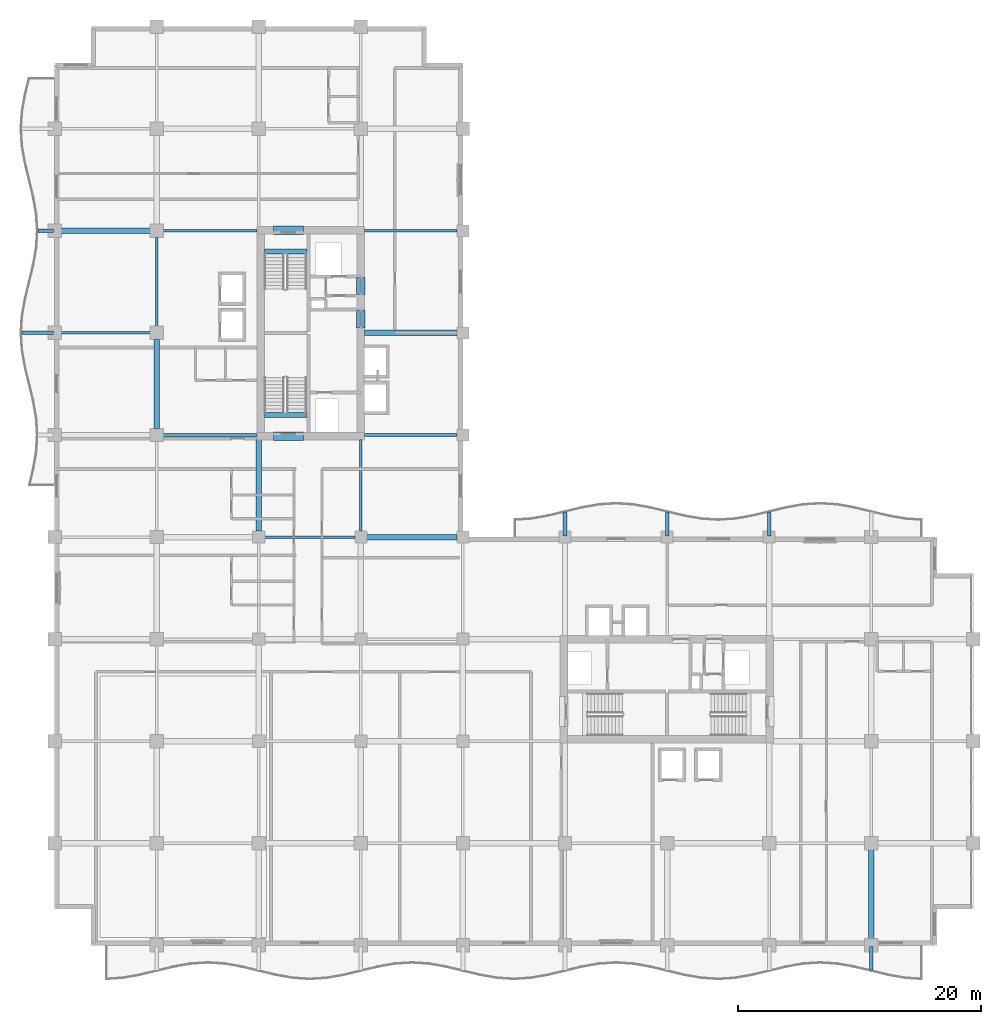
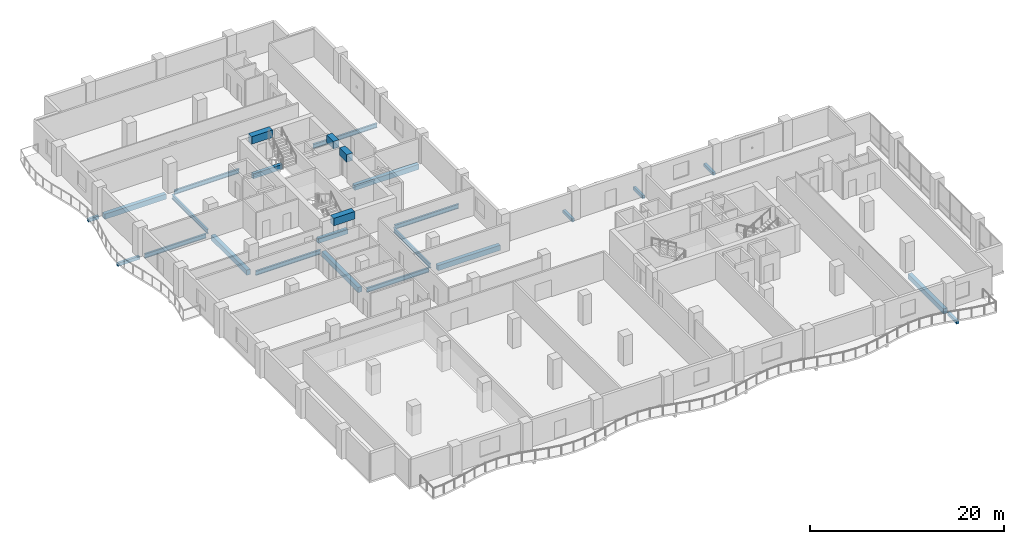
# One storey, part 2 of 20: 26 beams.
"""IFC4 building model written with IfcOpenShell, lengths in metres."""

import ifcopenshell
import ifcopenshell.guid

model = None  # the IFC model being written
_history = None  # IfcOwnerHistory: only IFC2X3 demands one
_inside = {}  # id of a spatial element -> (the spatial element, [elements in it])
_under = {}  # id of a project, library or spatial element -> (it, [spatial elements below it])
_declared = {}  # id of a project -> (the project, [libraries it declares])
_typed = {}  # id of a type object -> (the type object, [elements of that type])
_made_of = {}  # id of a material, layer set ... -> (it, [elements and type objects made of it])


def new_model(schema):
    """Start an empty IFC model of exactly this schema.

    Asked for "IFC4X3", IfcOpenShell would pick the latest addendum, in which some entities
    have other attributes; the version numbers below select the first issue.
    IFC2X3 requires an IfcOwnerHistory on every rooted entity: one is made here for all.
    """
    global model, _history
    if schema == "IFC4X3":
        model = ifcopenshell.file(schema_version=(4, 3, 0, 0))
    else:
        model = ifcopenshell.file(schema=schema)
    _inside.clear()
    _under.clear()
    _declared.clear()
    _typed.clear()
    _made_of.clear()
    _history = None
    if model.schema == "IFC2X3":
        org = make("IfcOrganization", Name="unknown")
        user = make(
            "IfcPersonAndOrganization",
            ThePerson=make("IfcPerson", FamilyName="unknown"),
            TheOrganization=org,
        )
        app = make(
            "IfcApplication",
            ApplicationDeveloper=org,
            Version="unknown",
            ApplicationFullName="unknown",
            ApplicationIdentifier="unknown",
        )
        _history = make(
            "IfcOwnerHistory",
            OwningUser=user,
            OwningApplication=app,
            ChangeAction="ADDED",
            CreationDate=0,
        )
    return model


def make(cls, **values):
    """One entity of the class cls with the attributes given. An attribute that is None is left unset."""
    return model.create_entity(
        cls, **{name: value for name, value in values.items() if value is not None}
    )


def rooted(cls, **values):
    """An entity with a GlobalId (a new one), such as an element, a storey or a relation."""
    return make(cls, GlobalId=ifcopenshell.guid.new(), OwnerHistory=_history, **values)


def si_unit(unit_type, name, prefix=None):
    """IfcSIUnit, for example si_unit("LENGTHUNIT", "METRE", prefix="MILLI")."""
    return make("IfcSIUnit", UnitType=unit_type, Prefix=prefix, Name=name)


def assignment(units):
    """IfcUnitAssignment: the units of a project."""
    return None if units is None else make("IfcUnitAssignment", Units=units)


def point(xyz):
    """IfcCartesianPoint."""
    return None if xyz is None else make("IfcCartesianPoint", Coordinates=xyz)


def direction(xyz):
    """IfcDirection."""
    return None if xyz is None else make("IfcDirection", DirectionRatios=xyz)


def frame(location, z_axis=None, x_axis=None):
    """IfcAxis2Placement3D, a coordinate frame: its origin and axes. An axis left out is left unset."""
    return make(
        "IfcAxis2Placement3D",
        Location=point(location),
        Axis=direction(z_axis),
        RefDirection=direction(x_axis),
    )


def frame_2d(location, x_axis=None):
    """IfcAxis2Placement2D, a coordinate frame in the plane: its origin and x axis."""
    return make(
        "IfcAxis2Placement2D", Location=point(location), RefDirection=direction(x_axis)
    )


def origin():
    """The frame at (0, 0, 0) with its axes left unset."""
    return frame((0.0, 0.0, 0.0))


def origin_2d():
    """The frame at (0, 0) in the plane with its x axis left unset."""
    return frame_2d((0.0, 0.0))


def place(relative_to, where):
    """IfcLocalPlacement: puts the frame where relative to a parent placement (None: the world)."""
    return make(
        "IfcLocalPlacement", PlacementRelTo=relative_to, RelativePlacement=where
    )


def context(
    kind, dimensions, precision=None, world=None, true_north=None, identifier=None
):
    """IfcGeometricRepresentationContext, for example the 3D "Model" context."""
    return make(
        "IfcGeometricRepresentationContext",
        ContextIdentifier=identifier,
        ContextType=kind,
        CoordinateSpaceDimension=dimensions,
        Precision=precision,
        WorldCoordinateSystem=world,
        TrueNorth=true_north,
    )


def subcontext(parent, identifier, kind, view, scale=None):
    """IfcGeometricRepresentationSubContext, for example "Body" below "Model"."""
    return make(
        "IfcGeometricRepresentationSubContext",
        ContextIdentifier=identifier,
        ContextType=kind,
        ParentContext=parent,
        TargetScale=scale,
        TargetView=view,
    )


def project(units=None, contexts=None):
    """IfcProject with its units and contexts."""
    return rooted(
        "IfcProject",
        Name="project",
        RepresentationContexts=contexts,
        UnitsInContext=assignment(units),
    )


def spatial(cls, under=None, at=None, **own):
    """A site, building, storey or space (cls), placed at a placement, below another one or the project."""
    s = rooted(cls, ObjectPlacement=at, **own)
    if under is not None:
        _under.setdefault(under.id(), (under, []))[1].append(s)
    return s


def profile(cls, at=None, kind="AREA", **sizes):
    """A parametric profile (cls). Its sizes go by their IFC names, for example OverallWidth=200.0."""
    return make(cls, ProfileType=kind, Position=at, **sizes)


def rectangle(**sizes):
    """IfcRectangleProfileDef."""
    return profile("IfcRectangleProfileDef", **sizes)


def i_section(**sizes):
    """IfcIShapeProfileDef."""
    return profile("IfcIShapeProfileDef", **sizes)


def extrude(swept, where, along, depth):
    """IfcExtrudedAreaSolid: the profile swept, set in the frame where, extruded along a direction by depth."""
    return make(
        "IfcExtrudedAreaSolid",
        SweptArea=swept,
        Position=where,
        ExtrudedDirection=direction(along),
        Depth=depth,
    )


def shape(context_of_items, identifier, shape_type, items):
    """IfcShapeRepresentation: the items that make up one representation, for example the "Body"."""
    return make(
        "IfcShapeRepresentation",
        ContextOfItems=context_of_items,
        RepresentationIdentifier=identifier,
        RepresentationType=shape_type,
        Items=items,
    )


def material(Name=None, Category=None):
    """IfcMaterial."""
    return make("IfcMaterial", Name=Name, Category=Category)


def material_profile(
    of_material, cross_section, Name=None, Category=None, Priority=None
):
    """IfcMaterialProfile: a cross section and its material."""
    return make(
        "IfcMaterialProfile",
        Name=Name,
        Material=of_material,
        Profile=cross_section,
        Priority=Priority,
        Category=Category,
    )


def profile_set(profiles, Name=None, composite=None):
    """IfcMaterialProfileSet."""
    return make(
        "IfcMaterialProfileSet",
        Name=Name,
        MaterialProfiles=profiles,
        CompositeProfile=composite,
    )


def made_of(thing, what):
    """Note that an element or type object is made of a material, layer set ...; save() writes the relation."""
    if what is not None:
        _made_of.setdefault(what.id(), (what, []))[1].append(thing)
    return thing


def type_object(cls, material=None, **own):
    """A type object (cls), such as IfcWallType, which elements share."""
    return made_of(rooted(cls, **own), material)


def element(
    cls,
    number,
    at=None,
    inside=None,
    cuts=None,
    type_object=None,
    material=None,
    context=None,
    identifier="Body",
    shape_type=None,
    held_by="IfcProductDefinitionShape",
    body=None,
    shapes=None,
    **own,
):
    """One element of the class cls, such as IfcWall. Its Tag is "e" and its number.

    at: its placement. inside: the storey or other place that contains it. cuts: it is an
    opening in that element (IfcRelVoidsElement). A single representation is given by context,
    identifier, shape_type and body (its items); several are given by shapes. held_by: the class
    of the entity that holds the representations. save() writes the other relations.
    """
    e = rooted(cls, Tag="e%d" % number, ObjectPlacement=at, **own)
    if body is not None:
        shapes = [shape(context, identifier, shape_type, body)]
    if shapes is not None:
        e.Representation = make(held_by, Representations=shapes)
    if inside is not None:
        _inside.setdefault(inside.id(), (inside, []))[1].append(e)
    if cuts is not None:
        rooted(
            "IfcRelVoidsElement", RelatingBuildingElement=cuts, RelatedOpeningElement=e
        )
    if type_object is not None:
        _typed.setdefault(type_object.id(), (type_object, []))[1].append(e)
    return made_of(e, material)


def aggregate(whole, parts):
    """IfcRelAggregates: a whole, such as a stair, and the parts it consists of."""
    return rooted("IfcRelAggregates", RelatingObject=whole, RelatedObjects=parts)


def save(model, path):
    """Write the relations noted so far, then the file.

    IfcRelAggregates (storeys below a building ...), IfcRelContainedInSpatialStructure (elements
    in a storey), IfcRelDefinesByType, IfcRelAssociatesMaterial and IfcRelDeclares: one each for
    every whole, place, type object, material and project.
    """
    for whole, parts in _under.values():
        aggregate(whole, parts)
    for where, things in _inside.values():
        rooted(
            "IfcRelContainedInSpatialStructure",
            RelatedElements=things,
            RelatingStructure=where,
        )
    for kind, things in _typed.values():
        rooted("IfcRelDefinesByType", RelatedObjects=things, RelatingType=kind)
    for what, things in _made_of.values():
        rooted("IfcRelAssociatesMaterial", RelatedObjects=things, RelatingMaterial=what)
    for by, libraries in _declared.values():
        rooted("IfcRelDeclares", RelatingContext=by, RelatedDefinitions=libraries)
    model.write(path)


model = new_model("IFC4")

# Units and contexts
model_context = context("Model", 3, precision=1e-05, world=origin(), true_north=direction((0.0, 1.0)))
body_context = subcontext(model_context, "Body", "Model", "MODEL_VIEW")
ifc_project = project(units=[si_unit("LENGTHUNIT", "METRE"), si_unit("AREAUNIT", "SQUARE_METRE"), si_unit("VOLUMEUNIT", "CUBIC_METRE"), si_unit("PLANEANGLEUNIT", "RADIAN"), si_unit("MASSUNIT", "GRAM", prefix="KILO")], contexts=[model_context])

# Site, building, storey
site_placement = place(None, origin())
site = spatial("IfcSite", under=ifc_project, at=site_placement, CompositionType="ELEMENT")
building_placement = place(site_placement, origin())
building = spatial("IfcBuilding", under=site, at=building_placement, Name="Koriwani Terraces Tower", CompositionType="ELEMENT")
storey_placement = place(building_placement, frame((0.0, 0.0, 212.39990234375)))
storey = spatial("IfcBuildingStorey", under=building, at=storey_placement, Name="L52", CompositionType="ELEMENT", Elevation=212.39990234375)

# Beams
ifc_material_1 = material(Name="Concrete C40/50", Category="concrete")
ifc_material_profile_1 = material_profile(ifc_material_1, rectangle(XDim=0.300048828125, YDim=0.39990234375, at=origin_2d()), Name="Concrete C40/50", Category="LoadBearing")
ifc_profile_set_1 = profile_set([ifc_material_profile_1], Name="Concrete C40/50")
beam_type_1 = type_object("IfcBeamType", Name="BEAM_RC_BALCONY_RIB_300X400", PredefinedType="JOIST", material=ifc_profile_set_1)
beam_1_placement = place(storey_placement, frame((67.199951171875, -2.02490234375, -0.429931640625), z_axis=(0.0, 1.0, 0.0), x_axis=(-1.0, 0.0, 0.0)))
element("IfcBeam", 1, at=beam_1_placement, inside=storey, type_object=beam_type_1, Name="L52 Balcony Bracket Rib S-8", PredefinedType="JOIST", context=body_context, shape_type="SweptSolid", body=[
    extrude(rectangle(XDim=0.300048828125, YDim=0.39990234375, at=origin_2d()), origin(), (0.0, 0.0, 1.0), 1.9248046875),
])
beam_2_placement = place(storey_placement, frame((-2.699951171875, 50.39990234375, -0.429931640625), z_axis=(1.0, 0.0, 0.0), x_axis=(0.0, 1.0, 0.0)))
element("IfcBeam", 2, at=beam_2_placement, inside=storey, type_object=beam_type_1, Name="L52 Balcony Bracket Rib W-2", PredefinedType="JOIST", context=body_context, shape_type="SweptSolid", body=[
    extrude(rectangle(XDim=0.300048828125, YDim=0.39990234375, at=origin_2d()), origin(), (0.0, 0.0, 1.0), 2.599853515625),
])
beam_3_placement = place(storey_placement, frame((-1.35009765625, 58.800048828125, -0.429931640625), z_axis=(1.0, 0.0, 0.0), x_axis=(0.0, 1.0, 0.0)))
element("IfcBeam", 3, at=beam_3_placement, inside=storey, type_object=beam_type_1, Name="L52 Balcony Bracket Rib W-3", PredefinedType="JOIST", context=body_context, shape_type="SweptSolid", body=[
    extrude(rectangle(XDim=0.300048828125, YDim=0.39990234375, at=origin_2d()), origin(), (0.0, 0.0, 1.0), 1.25),
])
for number, where, z_axis, x_axis, name in (
    (4, (42.0, 33.699951171875, -0.429931640625), (0.0, 1.0, 0.0), (-1.0, 0.0, 0.0), "L52 Balcony Bracket Rib NE-1"),
    (5, (50.39990234375, 33.699951171875, -0.429931640625), (0.0, 1.0, 0.0), (-1.0, 0.0, 0.0), "L52 Balcony Bracket Rib NE-2"),
    (6, (58.800048828125, 33.699951171875, -0.429931640625), (0.0, 1.0, 0.0), (-1.0, 0.0, 0.0), "L52 Balcony Bracket Rib NE-3"),
):
    element("IfcBeam", number, at=place(storey_placement, frame(where, z_axis=z_axis, x_axis=x_axis)), inside=storey, type_object=beam_type_1, Name=name, PredefinedType="JOIST", context=body_context, shape_type="SweptSolid", body=[
        extrude(rectangle(XDim=0.300048828125, YDim=0.39990234375, at=origin_2d()), origin(), (0.0, 0.0, 1.0), 1.925048828125),
    ])
ifc_material_2 = material(Name="Concrete C60/75", Category="concrete")
ifc_material_profile_2 = material_profile(ifc_material_2, rectangle(XDim=0.699951171875, YDim=0.949951171875, at=origin_2d()), Name="Concrete C60/75", Category="LoadBearing")
ifc_profile_set_2 = profile_set([ifc_material_profile_2], Name="Concrete C60/75")
beam_type_2 = type_object("IfcBeamType", Name="BEAM_RC_COUPLING_700X950", PredefinedType="LINTEL", material=ifc_profile_set_2)
beam_4_placement = place(storey_placement, frame((25.199951171875, 50.800048828125, 2.9951171875), z_axis=(0.0, 1.0, 0.0), x_axis=(-1.0, 0.0, 0.0)))
element("IfcBeam", 7, at=beam_4_placement, inside=storey, type_object=beam_type_2, Name="L52 Core Coupling Lintel Beam WE1", PredefinedType="LINTEL", context=body_context, shape_type="SweptSolid", body=[
    extrude(rectangle(XDim=0.699951171875, YDim=0.949951171875, at=origin_2d()), origin(), (0.0, 0.0, 1.0), 1.47998046875),
])
beam_5_placement = place(storey_placement, frame((25.199951171875, 53.550048828125, 2.9951171875), z_axis=(0.0, 1.0, 0.0), x_axis=(-1.0, 0.0, 0.0)))
element("IfcBeam", 8, at=beam_5_placement, inside=storey, type_object=beam_type_2, Name="L52 Core Coupling Lintel Beam WE2", PredefinedType="LINTEL", context=body_context, shape_type="SweptSolid", body=[
    extrude(rectangle(XDim=0.699951171875, YDim=0.949951171875, at=origin_2d()), origin(), (0.0, 0.0, 1.0), 1.39990234375),
])
for number, where, z_axis, x_axis, name in (
    (9, (18.0, 41.89990234375, 2.9951171875), (1.0, 0.0, 0.0), (0.0, 1.0, 0.0), "L52 Core Coupling Lintel Beam WS"),
    (10, (18.0, 58.85009765625, 2.9951171875), (1.0, 0.0, 0.0), (0.0, 1.0, 0.0), "L52 Core Coupling Lintel Beam WN"),
):
    element("IfcBeam", number, at=place(storey_placement, frame(where, z_axis=z_axis, x_axis=x_axis)), inside=storey, type_object=beam_type_2, Name=name, PredefinedType="LINTEL", context=body_context, shape_type="SweptSolid", body=[
        extrude(rectangle(XDim=0.699951171875, YDim=0.949951171875, at=origin_2d()), origin(), (0.0, 0.0, 1.0), 2.5),
    ])
ifc_material_profile_3 = material_profile(ifc_material_1, rectangle(XDim=0.39990234375, YDim=0.60009765625, at=origin_2d()), Name="Concrete C40/50", Category="LoadBearing")
ifc_profile_set_3 = profile_set([ifc_material_profile_3], Name="Concrete C40/50")
beam_type_3 = type_object("IfcBeamType", Name="BEAM_RC_GRID_400X600", PredefinedType="BEAM", material=ifc_profile_set_3)
for number, where, z_axis, x_axis, name in (
    (11, (17.25, 43.655029296875, -0.2998046875), (1.0, 0.0, 0.0), (0.0, 1.0, 0.0), "L52 Stairwell Header Trimmer Beam ST-W1"),
    (12, (17.25, 57.094970703125, -0.2998046875), (1.0, 0.0, 0.0), (0.0, 1.0, 0.0), "L52 Stairwell Header Trimmer Beam ST-W2"),
):
    element("IfcBeam", number, at=place(storey_placement, frame(where, z_axis=z_axis, x_axis=x_axis)), inside=storey, type_object=beam_type_3, Name=name, PredefinedType="BEAM", context=body_context, shape_type="SweptSolid", body=[
        extrude(rectangle(XDim=0.39990234375, YDim=0.60009765625, at=origin_2d()), origin(), (0.0, 0.0, 1.0), 3.5),
    ])
ifc_material_3 = material(Name="Concrete C50/60", Category="concrete")
ifc_material_profile_4 = material_profile(ifc_material_3, rectangle(XDim=0.449951171875, YDim=0.64990234375, at=origin_2d()), Name="Concrete C50/60", Category="LoadBearing")
ifc_profile_set_4 = profile_set([ifc_material_profile_4], Name="Concrete C50/60")
beam_type_4 = type_object("IfcBeamType", Name="BEAM_RC_GRID_450X650", PredefinedType="BEAM", material=ifc_profile_set_4)
beam_6_placement = place(storey_placement, frame((25.679931640625, 33.60009765625, -0.554931640625), z_axis=(1.0, 0.0, 0.0), x_axis=(0.0, 1.0, 0.0)))
element("IfcBeam", 13, at=beam_6_placement, inside=storey, type_object=beam_type_4, Name="L52 Grid Beam E (25.2-33.6m)", PredefinedType="BEAM", context=body_context, shape_type="SweptSolid", body=[
    extrude(rectangle(XDim=0.449951171875, YDim=0.64990234375, at=origin_2d()), origin(), (0.0, 0.0, 1.0), 7.440185546875),
])
beam_7_placement = place(storey_placement, frame((25.47998046875, 50.39990234375, -0.554931640625), z_axis=(1.0, 0.0, 0.0), x_axis=(0.0, 1.0, 0.0)))
element("IfcBeam", 14, at=beam_7_placement, inside=storey, type_object=beam_type_4, Name="L52 Grid Beam G (25.2-33.6m)", PredefinedType="BEAM", context=body_context, shape_type="SweptSolid", body=[
    extrude(rectangle(XDim=0.449951171875, YDim=0.64990234375, at=origin_2d()), origin(), (0.0, 0.0, 1.0), 7.64013671875),
])
for number, where, z_axis, x_axis, name in (
    (15, (0.530029296875, 58.800048828125, -0.554931640625), (1.0, 0.0, 0.0), (0.0, 1.0, 0.0), "L52 Grid Beam H (0.0-8.4m)"),
    (16, (8.39990234375, 42.530029296875, -0.554931640625), (0.0, 1.0, 0.0), (-1.0, 0.0, 0.0), "L52 Grid Beam 2 (42.0-50.4m)"),
):
    element("IfcBeam", number, at=place(storey_placement, frame(where, z_axis=z_axis, x_axis=x_axis)), inside=storey, type_object=beam_type_4, Name=name, PredefinedType="BEAM", context=body_context, shape_type="SweptSolid", body=[
        extrude(rectangle(XDim=0.449951171875, YDim=0.64990234375, at=origin_2d()), origin(), (0.0, 0.0, 1.0), 7.340087890625),
    ])
beam_8_placement = place(storey_placement, frame((16.800048828125, 34.080078125, -0.554931640625), z_axis=(0.0, 1.0, 0.0), x_axis=(-1.0, 0.0, 0.0)))
element("IfcBeam", 17, at=beam_8_placement, inside=storey, type_object=beam_type_4, Name="L52 Grid Beam 3 (33.6-42.0m)", PredefinedType="BEAM", context=body_context, shape_type="SweptSolid", body=[
    extrude(rectangle(XDim=0.449951171875, YDim=0.64990234375, at=origin_2d()), origin(), (0.0, 0.0, 1.0), 7.5400390625),
])
beam_9_placement = place(storey_placement, frame((67.199951171875, 0.530029296875, -0.554931640625), z_axis=(0.0, 1.0, 0.0), x_axis=(-1.0, 0.0, 0.0)))
element("IfcBeam", 18, at=beam_9_placement, inside=storey, type_object=beam_type_4, Name="L52 Grid Beam 9 (0.0-8.4m)", PredefinedType="BEAM", context=body_context, shape_type="SweptSolid", body=[
    extrude(rectangle(XDim=0.449951171875, YDim=0.64990234375, at=origin_2d()), origin(), (0.0, 0.0, 1.0), 7.340087890625),
])
ifc_material_4 = material(Name="Steel ASTM A572 Grade 50", Category="steel")
ifc_material_profile_5 = material_profile(ifc_material_4, i_section(OverallWidth=0.2119140625, OverallDepth=0.54296875, WebThickness=0.0126953125, FlangeThickness=0.021240234375, at=origin_2d()), Name="Steel ASTM A572 Grade 50", Category="LoadBearing")
ifc_profile_set_5 = profile_set([ifc_material_profile_5], Name="Steel ASTM A572 Grade 50")
beam_type_5 = type_object("IfcBeamType", Name="STEEL_BEAM_W530X150", PredefinedType="BEAM", material=ifc_profile_set_5)
beam_10_placement = place(storey_placement, frame((17.280029296875, 33.60009765625, -0.50146484375), z_axis=(1.0, 0.0, 0.0), x_axis=(0.0, 1.0, 0.0)))
element("IfcBeam", 19, at=beam_10_placement, inside=storey, type_object=beam_type_5, Name="L52 Grid Beam E (16.8-25.2m)", PredefinedType="BEAM", context=body_context, shape_type="SweptSolid", body=[
    extrude(i_section(OverallWidth=0.2119140625, OverallDepth=0.54296875, WebThickness=0.0126953125, FlangeThickness=0.021240234375, at=origin_2d()), origin(), (0.0, 0.0, 1.0), 7.43994140625),
])
beam_11_placement = place(storey_placement, frame((8.929931640625, 42.0, -0.50146484375), z_axis=(1.0, 0.0, 0.0), x_axis=(0.0, 1.0, 0.0)))
element("IfcBeam", 20, at=beam_11_placement, inside=storey, type_object=beam_type_5, Name="L52 Grid Beam F (8.4-16.8m)", PredefinedType="BEAM", context=body_context, shape_type="SweptSolid", body=[
    extrude(i_section(OverallWidth=0.2119140625, OverallDepth=0.54296875, WebThickness=0.0126953125, FlangeThickness=0.021240234375, at=origin_2d()), origin(), (0.0, 0.0, 1.0), 7.739990234375),
])
beam_12_placement = place(storey_placement, frame((25.47998046875, 42.0, -0.50146484375), z_axis=(1.0, 0.0, 0.0), x_axis=(0.0, 1.0, 0.0)))
element("IfcBeam", 21, at=beam_12_placement, inside=storey, type_object=beam_type_5, Name="L52 Grid Beam F (25.2-33.6m)", PredefinedType="BEAM", context=body_context, shape_type="SweptSolid", body=[
    extrude(i_section(OverallWidth=0.2119140625, OverallDepth=0.54296875, WebThickness=0.0126953125, FlangeThickness=0.021240234375, at=origin_2d()), origin(), (0.0, 0.0, 1.0), 7.64013671875),
])
beam_13_placement = place(storey_placement, frame((0.530029296875, 50.39990234375, -0.50146484375), z_axis=(1.0, 0.0, 0.0), x_axis=(0.0, 1.0, 0.0)))
element("IfcBeam", 22, at=beam_13_placement, inside=storey, type_object=beam_type_5, Name="L52 Grid Beam G (0.0-8.4m)", PredefinedType="BEAM", context=body_context, shape_type="SweptSolid", body=[
    extrude(i_section(OverallWidth=0.2119140625, OverallDepth=0.54296875, WebThickness=0.0126953125, FlangeThickness=0.021240234375, at=origin_2d()), origin(), (0.0, 0.0, 1.0), 7.340087890625),
])
beam_14_placement = place(storey_placement, frame((8.929931640625, 58.800048828125, -0.50146484375), z_axis=(1.0, 0.0, 0.0), x_axis=(0.0, 1.0, 0.0)))
element("IfcBeam", 23, at=beam_14_placement, inside=storey, type_object=beam_type_5, Name="L52 Grid Beam H (8.4-16.8m)", PredefinedType="BEAM", context=body_context, shape_type="SweptSolid", body=[
    extrude(i_section(OverallWidth=0.2119140625, OverallDepth=0.54296875, WebThickness=0.0126953125, FlangeThickness=0.021240234375, at=origin_2d()), origin(), (0.0, 0.0, 1.0), 7.739990234375),
])
beam_15_placement = place(storey_placement, frame((25.47998046875, 58.800048828125, -0.50146484375), z_axis=(1.0, 0.0, 0.0), x_axis=(0.0, 1.0, 0.0)))
element("IfcBeam", 24, at=beam_15_placement, inside=storey, type_object=beam_type_5, Name="L52 Grid Beam H (25.2-33.6m)", PredefinedType="BEAM", context=body_context, shape_type="SweptSolid", body=[
    extrude(i_section(OverallWidth=0.2119140625, OverallDepth=0.54296875, WebThickness=0.0126953125, FlangeThickness=0.021240234375, at=origin_2d()), origin(), (0.0, 0.0, 1.0), 7.64013671875),
])
beam_16_placement = place(storey_placement, frame((8.39990234375, 50.929931640625, -0.50146484375), z_axis=(0.0, 1.0, 0.0), x_axis=(-1.0, 0.0, 0.0)))
element("IfcBeam", 25, at=beam_16_placement, inside=storey, type_object=beam_type_5, Name="L52 Grid Beam 2 (50.4-58.8m)", PredefinedType="BEAM", context=body_context, shape_type="SweptSolid", body=[
    extrude(i_section(OverallWidth=0.2119140625, OverallDepth=0.54296875, WebThickness=0.0126953125, FlangeThickness=0.021240234375, at=origin_2d()), origin(), (0.0, 0.0, 1.0), 7.340087890625),
])
beam_17_placement = place(storey_placement, frame((25.199951171875, 34.080078125, -0.50146484375), z_axis=(0.0, 1.0, 0.0), x_axis=(-1.0, 0.0, 0.0)))
element("IfcBeam", 26, at=beam_17_placement, inside=storey, type_object=beam_type_5, Name="L52 Grid Beam 4 (33.6-42.0m)", PredefinedType="BEAM", context=body_context, shape_type="SweptSolid", body=[
    extrude(i_section(OverallWidth=0.2119140625, OverallDepth=0.54296875, WebThickness=0.0126953125, FlangeThickness=0.021240234375, at=origin_2d()), origin(), (0.0, 0.0, 1.0), 7.5400390625),
])

save(model, "model.ifc")
